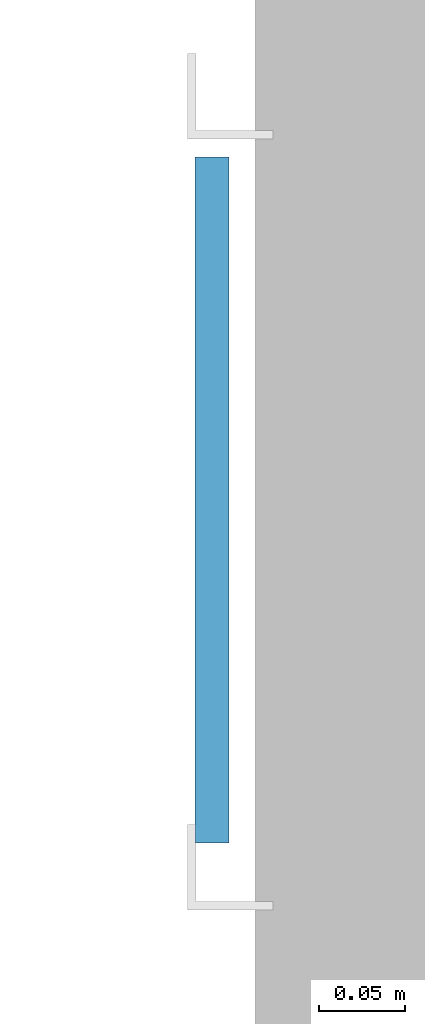
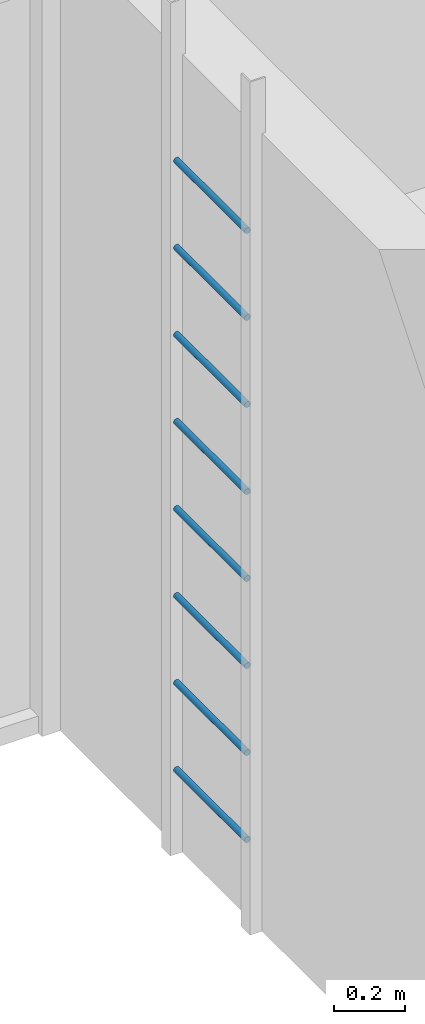
# One storey, part 24 of 78: 8 members.
"""IFC4 building model written with IfcOpenShell, lengths in metres."""

from ifc_helpers import new_model, si_unit, direction, frame, origin, origin_2d, place, context, subcontext, project, spatial, circle, extrude, material, material_profile, profile_set, type_object, element, save


model = new_model("IFC4")

# Units and contexts
model_context = context("Model", 3, precision=1e-05, world=origin(), true_north=direction((0.0, 1.0)))
body_context = subcontext(model_context, "Body", "Model", "MODEL_VIEW")
ifc_project = project(units=[si_unit("LENGTHUNIT", "METRE"), si_unit("AREAUNIT", "SQUARE_METRE"), si_unit("VOLUMEUNIT", "CUBIC_METRE"), si_unit("PLANEANGLEUNIT", "RADIAN"), si_unit("MASSUNIT", "GRAM", prefix="KILO")], contexts=[model_context])

# Site, building, storey
site_placement = place(None, origin())
site = spatial("IfcSite", under=ifc_project, at=site_placement, CompositionType="ELEMENT")
building_placement = place(site_placement, origin())
building = spatial("IfcBuilding", under=site, at=building_placement, Name="Ridgestep Commons", CompositionType="ELEMENT")
storey_placement = place(building_placement, frame((0.0, 0.0, 30.0)))
storey = spatial("IfcBuildingStorey", under=building, at=storey_placement, Name="L10", CompositionType="ELEMENT", Elevation=30.0)

# Members
ifc_material = material(Name="Structural steel S355JR", Category="steel")
ifc_material_profile = material_profile(ifc_material, circle(Radius=0.010009765625, at=origin_2d()), Name="Round bar 20")
ifc_profile_set = profile_set([ifc_material_profile], Name="Structural steel S355JR")
member_type = type_object("IfcMemberType", Name="Core ladder rung 20", PredefinedType="STRINGER", material=ifc_profile_set)
for number, where, z_axis, x_axis, name in (
    (1, (76.199951171875, 75.89990234375, 0.300048828125), (0.0, 1.0, 0.0), (-1.0, 0.0, 0.0), "Ladder rung B4C.1"),
    (2, (76.199951171875, 75.89990234375, 0.60009765625), (0.0, 1.0, 0.0), (-1.0, 0.0, 0.0), "Ladder rung B4C.2"),
    (3, (76.199951171875, 75.89990234375, 0.89990234375), (0.0, 1.0, 0.0), (-1.0, 0.0, 0.0), "Ladder rung B4C.3"),
    (4, (76.199951171875, 75.89990234375, 1.199951171875), (0.0, 1.0, 0.0), (-1.0, 0.0, 0.0), "Ladder rung B4C.4"),
    (5, (76.199951171875, 75.89990234375, 1.5), (0.0, 1.0, 0.0), (-1.0, 0.0, 0.0), "Ladder rung B4C.5"),
    (6, (76.199951171875, 75.89990234375, 1.800048828125), (0.0, 1.0, 0.0), (-1.0, 0.0, 0.0), "Ladder rung B4C.6"),
    (7, (76.199951171875, 75.89990234375, 2.10009765625), (0.0, 1.0, 0.0), (-1.0, 0.0, 0.0), "Ladder rung B4C.7"),
    (8, (76.199951171875, 75.89990234375, 2.39990234375), (0.0, 1.0, 0.0), (-1.0, 0.0, 0.0), "Ladder rung B4C.8"),
):
    element("IfcMember", number, at=place(storey_placement, frame(where, z_axis=z_axis, x_axis=x_axis)), inside=storey, type_object=member_type, Name=name, PredefinedType="STRINGER", context=body_context, shape_type="SweptSolid", body=[
        extrude(circle(Radius=0.010009765625, at=origin_2d()), origin(), (0.0, 0.0, 1.0), 0.400146484375),
    ])

save(model, "model.ifc")
